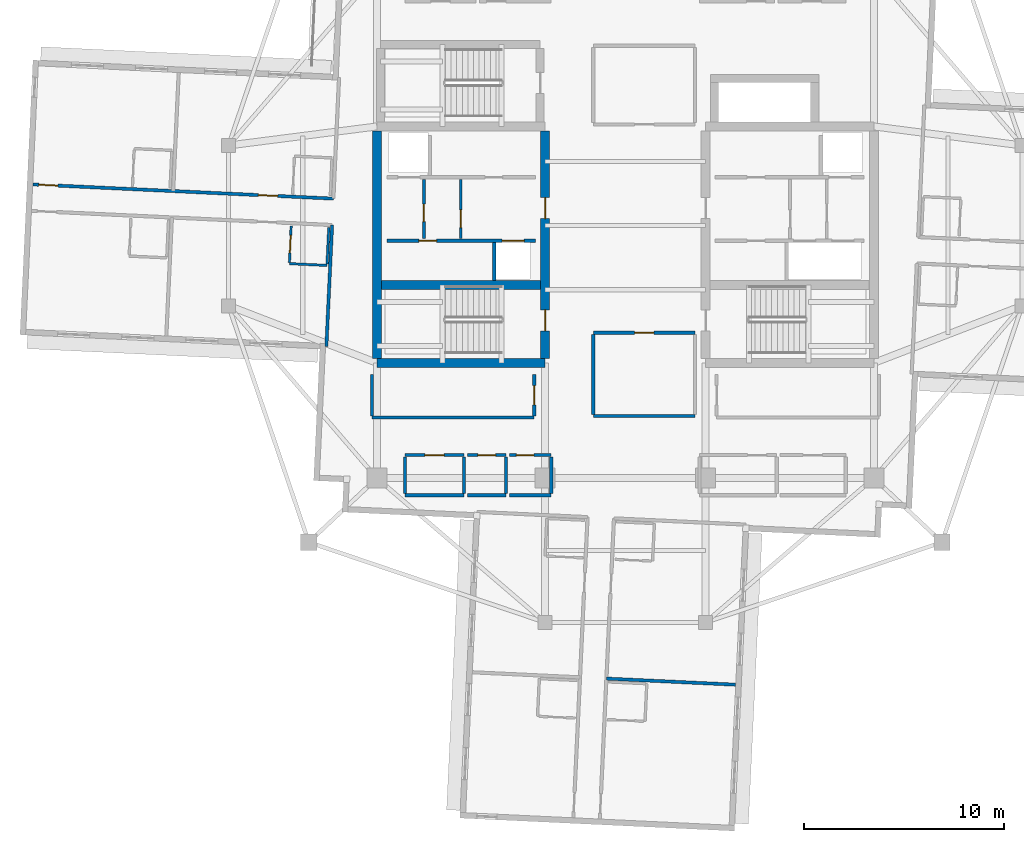
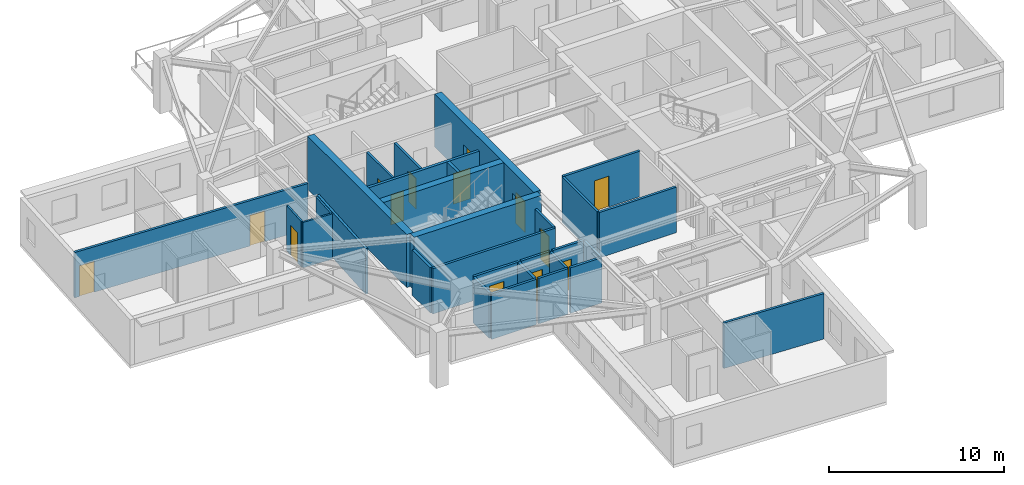
# One storey, part 4 of 12: 30 walls, 14 doors, 14 openings.
"""IFC4 building model written with IfcOpenShell, lengths in metres."""

from ifc_helpers import new_model, si_unit, direction, frame, frame_2d, origin, place, context, subcontext, project, spatial, rectangle, extrude, material, layer, layer_set, type_object, element, fill, save


model = new_model("IFC4")

# Units and contexts
model_context = context("Model", 3, precision=1e-05, world=origin(), true_north=direction((0.0, 1.0)))
body_context = subcontext(model_context, "Body", "Model", "MODEL_VIEW")
ifc_project = project(units=[si_unit("LENGTHUNIT", "METRE"), si_unit("AREAUNIT", "SQUARE_METRE"), si_unit("VOLUMEUNIT", "CUBIC_METRE"), si_unit("PLANEANGLEUNIT", "RADIAN"), si_unit("MASSUNIT", "GRAM", prefix="KILO")], contexts=[model_context])

# Site, building, storey
site_placement = place(None, origin())
site = spatial("IfcSite", under=ifc_project, at=site_placement, CompositionType="ELEMENT")
building_placement = place(site_placement, origin())
building = spatial("IfcBuilding", under=site, at=building_placement, Name="Qingluan Cross Belvedere", CompositionType="ELEMENT")
storey_placement = place(building_placement, frame((0.0, 0.0, 253.800048828125)))
storey = spatial("IfcBuildingStorey", under=building, at=storey_placement, Name="L63", CompositionType="ELEMENT", Elevation=253.800048828125)

# Walls
ifc_material_1 = material(Name="Concrete C50", Category="concrete")
ifc_layer_1 = layer(ifc_material_1, 0.449951171875, Name="CoreShearWall_450")
ifc_layer_set_1 = layer_set([ifc_layer_1], Name="Concrete C50")
wall_type_1 = type_object("IfcWallType", Name="CoreShearWall_450", PredefinedType="SHEAR", material=ifc_layer_set_1)
wall_1_placement = place(storey_placement, frame((-12.39990234375, -6.85009765625, 0.0), z_axis=(0.0, 0.0, 1.0), x_axis=(1.0, 0.0, 0.0)))
element("IfcWall", 1, at=wall_1_placement, inside=storey, type_object=wall_type_1, Name="Split core W shear wall L63-S", PredefinedType="SHEAR", context=body_context, shape_type="SweptSolid", body=[
    extrude(rectangle(XDim=8.39990234375, YDim=0.449951171875, at=frame_2d((4.199951171875, 0.0))), origin(), (0.0, 0.0, 1.0), 3.699951171875),
])
wall_2_placement = place(storey_placement, frame((-12.39990234375, -6.6201171875, 0.0), z_axis=(0.0, 0.0, 1.0), x_axis=(0.0, 1.0, 0.0)))
element("IfcWall", 2, at=wall_2_placement, inside=storey, type_object=wall_type_1, Name="Split core W shear wall L63-W", PredefinedType="SHEAR", context=body_context, shape_type="SweptSolid", body=[
    extrude(rectangle(XDim=11.340087890625, YDim=0.449951171875, at=frame_2d((5.669921875, 0.0))), origin(), (0.0, 0.0, 1.0), 3.699951171875),
])

# Wall, openings, doors
wall_3_placement = place(storey_placement, frame((-4.0, -6.6201171875, 0.0), z_axis=(0.0, 0.0, 1.0), x_axis=(0.0, 1.0, 0.0)))
wall_3 = element("IfcWall", 3, at=wall_3_placement, inside=storey, type_object=wall_type_1, Name="Split core W shear wall L63-E", PredefinedType="SHEAR", context=body_context, shape_type="SweptSolid", body=[
    extrude(rectangle(XDim=11.340087890625, YDim=0.449951171875, at=frame_2d((5.669921875, 0.0))), origin(), (0.0, 0.0, 1.0), 3.699951171875),
])
opening_1_placement = place(wall_3_placement, frame((1.3701171875, 0.0, 0.0)))
opening_1 = element("IfcOpeningElement", 4, at=opening_1_placement, cuts=wall_3, Name="Opening FD-B11", PredefinedType="OPENING", context=body_context, shape_type="SweptSolid", body=[
    extrude(rectangle(XDim=1.050048828125, YDim=2.14990234375, at=frame_2d((0.52490234375, 1.074951171875))), frame((0.0, 0.23486328125, 0.0), z_axis=(0.0, -1.0, 0.0), x_axis=(1.0, 0.0, 0.0)), (0.0, 0.0, 1.0), 0.469970703125),
])
opening_2_placement = place(wall_3_placement, frame((6.969970703125, 0.0, 0.0)))
opening_2 = element("IfcOpeningElement", 5, at=opening_2_placement, cuts=wall_3, Name="Opening FD-B11", PredefinedType="OPENING", context=body_context, shape_type="SweptSolid", body=[
    extrude(rectangle(XDim=1.050048828125, YDim=2.14990234375, at=frame_2d((0.52490234375, 1.074951171875))), frame((0.0, 0.23486328125, 0.0), z_axis=(0.0, -1.0, 0.0), x_axis=(1.0, 0.0, 0.0)), (0.0, 0.0, 1.0), 0.469970703125),
])
ifc_material_2 = material(Name="Steel Class B smoke-seal fire door", Category="steel")
door_type_1 = type_object("IfcDoorType", Name="StairLobbyFireDoor_FDB", OperationType="NOTDEFINED", PredefinedType="DOOR", material=ifc_material_2)
door_1_placement = place(opening_1_placement, origin())
door_1 = element("IfcDoor", 6, at=door_1_placement, inside=storey, type_object=door_type_1, Name="Smoke-proof stair ST1 fire door L63", OperationType="SINGLE_SWING_LEFT", OverallHeight=2.14990234375, OverallWidth=1.050048828125, PredefinedType="DOOR", context=body_context, shape_type="SweptSolid", body=[
    extrude(rectangle(XDim=1.050048828125, YDim=2.14990234375, at=frame_2d((0.52490234375, 1.074951171875))), frame((0.0, 0.02490234375, 0.0), z_axis=(0.0, -1.0, 0.0), x_axis=(1.0, 0.0, 0.0)), (0.0, 0.0, 1.0), 0.050048828125),
])
fill(opening_1, door_1)
door_2_placement = place(opening_2_placement, origin())
door_2 = element("IfcDoor", 7, at=door_2_placement, inside=storey, type_object=door_type_1, Name="Firefighting lobby West fire door L63", OperationType="SINGLE_SWING_LEFT", OverallHeight=2.14990234375, OverallWidth=1.050048828125, PredefinedType="DOOR", context=body_context, shape_type="SweptSolid", body=[
    extrude(rectangle(XDim=1.050048828125, YDim=2.14990234375, at=frame_2d((0.52490234375, 1.074951171875))), frame((0.0, 0.02490234375, 0.0), z_axis=(0.0, -1.0, 0.0), x_axis=(1.0, 0.0, 0.0)), (0.0, 0.0, 1.0), 0.050048828125),
])
fill(opening_2, door_2)

# Wall
wall_4_placement = place(storey_placement, frame((-12.169921875, -2.9599609375, 0.0), z_axis=(0.0, 0.0, 1.0), x_axis=(1.0, 0.0, 0.0)))
element("IfcWall", 8, at=wall_4_placement, inside=storey, type_object=wall_type_1, Name="Split core W shear wall L63-M", PredefinedType="SHEAR", context=body_context, shape_type="SweptSolid", body=[
    extrude(rectangle(XDim=7.93994140625, YDim=0.449951171875, at=frame_2d((3.969970703125, 0.0))), origin(), (0.0, 0.0, 1.0), 3.699951171875),
])

# Wall, opening, door
ifc_material_3 = material(Name="Gypsum plasterboard on steel stud acoustic partition", Category="steel")
ifc_layer_2 = layer(ifc_material_3, 0.159912109375, Name="CorridorPartition_160")
ifc_layer_set_2 = layer_set([ifc_layer_2], Name="Gypsum plasterboard on steel stud acoustic partition")
wall_type_2 = type_object("IfcWallType", Name="CorridorPartition_160", PredefinedType="PARTITIONING", material=ifc_layer_set_2)
wall_5_placement = place(storey_placement, frame((-10.050048828125, -0.652099609375, 0.0), z_axis=(0.0, 0.0, 1.0), x_axis=(0.0, 1.0, 0.0)))
wall_5 = element("IfcWall", 9, at=wall_5_placement, inside=storey, type_object=wall_type_2, Name="Partition L63:wv", PredefinedType="PARTITIONING", context=body_context, shape_type="SweptSolid", body=[
    extrude(rectangle(XDim=2.962158203125, YDim=0.139892578125, at=frame_2d((1.48095703125, 0.0))), origin(), (0.0, 0.0, 1.0), 3.169921875),
])
opening_3_placement = place(wall_5_placement, frame((0.85009765625, 0.0, 0.0)))
opening_3 = element("IfcOpeningElement", 10, at=opening_3_placement, cuts=wall_5, Name="Opening FD-B10", PredefinedType="OPENING", context=body_context, shape_type="SweptSolid", body=[
    extrude(rectangle(XDim=0.8798828125, YDim=2.10009765625, at=frame_2d((0.43994140625, 1.050048828125))), frame((0.0, 0.079833984375, 0.0), z_axis=(0.0, -1.0, 0.0), x_axis=(1.0, 0.0, 0.0)), (0.0, 0.0, 1.0), 0.159912109375),
])
ifc_material_4 = material(Name="Steel Class B service fire door", Category="steel")
door_type_2 = type_object("IfcDoorType", Name="RiserServiceFireDoor_FDB", OperationType="NOTDEFINED", PredefinedType="DOOR", material=ifc_material_4)
door_3_placement = place(opening_3_placement, origin())
door_3 = element("IfcDoor", 11, at=door_3_placement, inside=storey, type_object=door_type_2, Name="Service closet inner door L63", OperationType="SINGLE_SWING_RIGHT", OverallHeight=2.10009765625, OverallWidth=0.8798828125, PredefinedType="DOOR", context=body_context, shape_type="SweptSolid", body=[
    extrude(rectangle(XDim=0.8798828125, YDim=2.10009765625, at=frame_2d((0.43994140625, 1.050048828125))), frame((0.0, 0.02490234375, 0.0), z_axis=(0.0, -1.0, 0.0), x_axis=(1.0, 0.0, 0.0)), (0.0, 0.0, 1.0), 0.050048828125),
])
fill(opening_3, door_3)

# Wall
wall_6_placement = place(storey_placement, frame((-11.0, -13.449951171875, 0.0), z_axis=(0.0, 0.0, 1.0), x_axis=(1.0, 0.0, 0.0)))
element("IfcWall", 12, at=wall_6_placement, inside=storey, type_object=wall_type_2, Name="Partition L63:q_sw_occ:S", PredefinedType="PARTITIONING", context=body_context, shape_type="SweptSolid", body=[
    extrude(rectangle(XDim=2.949951171875, YDim=0.159912109375, at=frame_2d((1.47509765625, 0.0))), origin(), (0.0, 0.0, 1.0), 3.169921875),
])

# Wall, opening, door
wall_7_placement = place(storey_placement, frame((-11.0, -11.449951171875, 0.0), z_axis=(0.0, 0.0, 1.0), x_axis=(1.0, 0.0, 0.0)))
wall_7 = element("IfcWall", 13, at=wall_7_placement, inside=storey, type_object=wall_type_2, Name="Partition L63:q_sw_occ:N", PredefinedType="PARTITIONING", context=body_context, shape_type="SweptSolid", body=[
    extrude(rectangle(XDim=2.949951171875, YDim=0.159912109375, at=frame_2d((1.47509765625, 0.0))), origin(), (0.0, 0.0, 1.0), 3.169921875),
])
opening_4_placement = place(wall_7_placement, frame((0.9951171875, 0.0, 0.0)))
opening_4 = element("IfcOpeningElement", 14, at=opening_4_placement, cuts=wall_7, Name="Opening GD-10", PredefinedType="OPENING", context=body_context, shape_type="SweptSolid", body=[
    extrude(rectangle(XDim=0.9599609375, YDim=2.14990234375, at=frame_2d((0.47998046875, 1.074951171875))), frame((0.0, 0.08984375, 0.0), z_axis=(0.0, -1.0, 0.0), x_axis=(1.0, 0.0, 0.0)), (0.0, 0.0, 1.0), 0.179931640625),
])
ifc_material_5 = material(Name="Timber oak fire-rated acoustic guestroom door", Category="wood")
door_type_3 = type_object("IfcDoorType", Name="GuestEntryDoor_FD60", OperationType="NOTDEFINED", PredefinedType="DOOR", material=ifc_material_5)
door_4_placement = place(opening_4_placement, origin())
door_4 = element("IfcDoor", 15, at=door_4_placement, inside=storey, type_object=door_type_3, Name="Advisory boardroom L63 door", OperationType="SINGLE_SWING_RIGHT", OverallHeight=2.14990234375, OverallWidth=0.9599609375, PredefinedType="DOOR", context=body_context, shape_type="SweptSolid", body=[
    extrude(rectangle(XDim=0.9599609375, YDim=2.14990234375, at=frame_2d((0.47998046875, 1.074951171875))), frame((0.0, 0.02490234375, 0.0), z_axis=(0.0, -1.0, 0.0), x_axis=(1.0, 0.0, 0.0)), (0.0, 0.0, 1.0), 0.050048828125),
])
fill(opening_4, door_4)

# Walls
for number, where, z_axis, x_axis, name in (
    (16, (-11.0, -13.364990234375, 0.0), (0.0, 0.0, 1.0), (0.0, 1.0, 0.0), "Partition L63:q_sw_occ:W"),
    (17, (-8.050048828125, -13.364990234375, 0.0), (0.0, 0.0, 1.0), (0.0, 1.0, 0.0), "Partition L63:q_sw_occ:E"),
):
    element("IfcWall", number, at=place(storey_placement, frame(where, z_axis=z_axis, x_axis=x_axis)), inside=storey, type_object=wall_type_2, Name=name, PredefinedType="PARTITIONING", context=body_context, shape_type="SweptSolid", body=[
        extrude(rectangle(XDim=1.830078125, YDim=0.159912109375, at=frame_2d((0.9150390625, 0.0))), origin(), (0.0, 0.0, 1.0), 3.169921875),
    ])
wall_8_placement = place(storey_placement, frame((-7.889892578125, -13.449951171875, 0.0), z_axis=(0.0, 0.0, 1.0), x_axis=(1.0, 0.0, 0.0)))
element("IfcWall", 18, at=wall_8_placement, inside=storey, type_object=wall_type_2, Name="Partition L63:hk_linen:S", PredefinedType="PARTITIONING", context=body_context, shape_type="SweptSolid", body=[
    extrude(rectangle(XDim=1.93994140625, YDim=0.159912109375, at=frame_2d((0.969970703125, 0.0))), origin(), (0.0, 0.0, 1.0), 3.169921875),
])

# Wall, opening, door
wall_9_placement = place(storey_placement, frame((-7.889892578125, -11.449951171875, 0.0), z_axis=(0.0, 0.0, 1.0), x_axis=(1.0, 0.0, 0.0)))
wall_9 = element("IfcWall", 19, at=wall_9_placement, inside=storey, type_object=wall_type_2, Name="Partition L63:hk_linen:N", PredefinedType="PARTITIONING", context=body_context, shape_type="SweptSolid", body=[
    extrude(rectangle(XDim=1.93994140625, YDim=0.159912109375, at=frame_2d((0.969970703125, 0.0))), origin(), (0.0, 0.0, 1.0), 3.169921875),
])
opening_5_placement = place(wall_9_placement, frame((0.530029296875, 0.0, 0.0)))
opening_5 = element("IfcOpeningElement", 20, at=opening_5_placement, cuts=wall_9, Name="Opening FD-B10", PredefinedType="OPENING", context=body_context, shape_type="SweptSolid", body=[
    extrude(rectangle(XDim=0.8798828125, YDim=2.10009765625, at=frame_2d((0.43994140625, 1.050048828125))), frame((0.0, 0.08984375, 0.0), z_axis=(0.0, -1.0, 0.0), x_axis=(1.0, 0.0, 0.0)), (0.0, 0.0, 1.0), 0.179931640625),
])
door_5_placement = place(opening_5_placement, origin())
door_5 = element("IfcDoor", 21, at=door_5_placement, inside=storey, type_object=door_type_2, Name="Housekeeping and linen store L63 door", OperationType="SINGLE_SWING_LEFT", OverallHeight=2.10009765625, OverallWidth=0.8798828125, PredefinedType="DOOR", context=body_context, shape_type="SweptSolid", body=[
    extrude(rectangle(XDim=0.8798828125, YDim=2.10009765625, at=frame_2d((0.43994140625, 1.050048828125))), frame((0.0, 0.02490234375, 0.0), z_axis=(0.0, -1.0, 0.0), x_axis=(1.0, 0.0, 0.0)), (0.0, 0.0, 1.0), 0.050048828125),
])
fill(opening_5, door_5)

# Walls
wall_10_placement = place(storey_placement, frame((-5.949951171875, -13.364990234375, 0.0), z_axis=(0.0, 0.0, 1.0), x_axis=(0.0, 1.0, 0.0)))
element("IfcWall", 22, at=wall_10_placement, inside=storey, type_object=wall_type_2, Name="Partition L63:hk_linen:E", PredefinedType="PARTITIONING", context=body_context, shape_type="SweptSolid", body=[
    extrude(rectangle(XDim=1.830078125, YDim=0.159912109375, at=frame_2d((0.9150390625, 0.0))), origin(), (0.0, 0.0, 1.0), 3.169921875),
])
wall_11_placement = place(storey_placement, frame((-5.7900390625, -13.449951171875, 0.0), z_axis=(0.0, 0.0, 1.0), x_axis=(1.0, 0.0, 0.0)))
element("IfcWall", 23, at=wall_11_placement, inside=storey, type_object=wall_type_2, Name="Partition L63:floor_acc_wc:S", PredefinedType="PARTITIONING", context=body_context, shape_type="SweptSolid", body=[
    extrude(rectangle(XDim=2.090087890625, YDim=0.159912109375, at=frame_2d((1.044921875, 0.0))), origin(), (0.0, 0.0, 1.0), 3.169921875),
])

# Wall, opening, door
wall_12_placement = place(storey_placement, frame((-5.7900390625, -11.449951171875, 0.0), z_axis=(0.0, 0.0, 1.0), x_axis=(1.0, 0.0, 0.0)))
wall_12 = element("IfcWall", 24, at=wall_12_placement, inside=storey, type_object=wall_type_2, Name="Partition L63:floor_acc_wc:N", PredefinedType="PARTITIONING", context=body_context, shape_type="SweptSolid", body=[
    extrude(rectangle(XDim=2.090087890625, YDim=0.159912109375, at=frame_2d((1.044921875, 0.0))), origin(), (0.0, 0.0, 1.0), 3.169921875),
])
opening_6_placement = place(wall_12_placement, frame((0.35009765625, 0.0, 0.0)))
opening_6 = element("IfcOpeningElement", 25, at=opening_6_placement, cuts=wall_12, Name="Opening BD-08", PredefinedType="OPENING", context=body_context, shape_type="SweptSolid", body=[
    extrude(rectangle(XDim=0.8798828125, YDim=2.14990234375, at=frame_2d((0.43994140625, 1.074951171875))), frame((0.0, 0.08984375, 0.0), z_axis=(0.0, -1.0, 0.0), x_axis=(1.0, 0.0, 0.0)), (0.0, 0.0, 1.0), 0.179931640625),
])
ifc_material_6 = material(Name="Moisture-sealed timber accessible WC door", Category="wood")
door_type_4 = type_object("IfcDoorType", Name="AccessibleWCDoor_880", OperationType="NOTDEFINED", PredefinedType="DOOR", material=ifc_material_6)
door_6_placement = place(opening_6_placement, origin())
door_6 = element("IfcDoor", 26, at=door_6_placement, inside=storey, type_object=door_type_4, Name="Accessible guest washroom L63 door", OperationType="SINGLE_SWING_RIGHT", OverallHeight=2.14990234375, OverallWidth=0.8798828125, PredefinedType="DOOR", context=body_context, shape_type="SweptSolid", body=[
    extrude(rectangle(XDim=0.8798828125, YDim=2.14990234375, at=frame_2d((0.43994140625, 1.074951171875))), frame((0.0, 0.02490234375, 0.0), z_axis=(0.0, -1.0, 0.0), x_axis=(1.0, 0.0, 0.0)), (0.0, 0.0, 1.0), 0.050048828125),
])
fill(opening_6, door_6)

# Walls
wall_13_placement = place(storey_placement, frame((-3.699951171875, -13.364990234375, 0.0), z_axis=(0.0, 0.0, 1.0), x_axis=(0.0, 1.0, 0.0)))
element("IfcWall", 27, at=wall_13_placement, inside=storey, type_object=wall_type_2, Name="Partition L63:floor_acc_wc:E", PredefinedType="PARTITIONING", context=body_context, shape_type="SweptSolid", body=[
    extrude(rectangle(XDim=1.830078125, YDim=0.159912109375, at=frame_2d((0.9150390625, 0.0))), origin(), (0.0, 0.0, 1.0), 3.169921875),
])
wall_14_placement = place(storey_placement, frame((-1.60009765625, -9.5, 0.0), z_axis=(0.0, 0.0, 1.0), x_axis=(1.0, 0.0, 0.0)))
element("IfcWall", 28, at=wall_14_placement, inside=storey, type_object=wall_type_2, Name="Partition L63:sky_south_alcove:S", PredefinedType="PARTITIONING", context=body_context, shape_type="SweptSolid", body=[
    extrude(rectangle(XDim=5.080078125, YDim=0.159912109375, at=frame_2d((2.5400390625, 0.0))), origin(), (0.0, 0.0, 1.0), 3.169921875),
])

# Wall, opening, door
wall_15_placement = place(storey_placement, frame((-1.60009765625, -5.35009765625, 0.0), z_axis=(0.0, 0.0, 1.0), x_axis=(1.0, 0.0, 0.0)))
wall_15 = element("IfcWall", 29, at=wall_15_placement, inside=storey, type_object=wall_type_2, Name="Partition L63:sky_south_alcove:N", PredefinedType="PARTITIONING", context=body_context, shape_type="SweptSolid", body=[
    extrude(rectangle(XDim=5.080078125, YDim=0.159912109375, at=frame_2d((2.5400390625, 0.0))), origin(), (0.0, 0.0, 1.0), 3.169921875),
])
opening_7_placement = place(wall_15_placement, frame((2.06005859375, 0.0, 0.0)))
opening_7 = element("IfcOpeningElement", 30, at=opening_7_placement, cuts=wall_15, Name="Opening GD-10", PredefinedType="OPENING", context=body_context, shape_type="SweptSolid", body=[
    extrude(rectangle(XDim=0.9599609375, YDim=2.14990234375, at=frame_2d((0.47998046875, 1.074951171875))), frame((0.0, 0.08984375, 0.0), z_axis=(0.0, -1.0, 0.0), x_axis=(1.0, 0.0, 0.0)), (0.0, 0.0, 1.0), 0.179931640625),
])
door_7_placement = place(opening_7_placement, origin())
door_7 = element("IfcDoor", 31, at=door_7_placement, inside=storey, type_object=door_type_3, Name="South horizon reading alcove L63 door", OperationType="SINGLE_SWING_RIGHT", OverallHeight=2.14990234375, OverallWidth=0.9599609375, PredefinedType="DOOR", context=body_context, shape_type="SweptSolid", body=[
    extrude(rectangle(XDim=0.9599609375, YDim=2.14990234375, at=frame_2d((0.47998046875, 1.074951171875))), frame((0.0, 0.02490234375, 0.0), z_axis=(0.0, -1.0, 0.0), x_axis=(1.0, 0.0, 0.0)), (0.0, 0.0, 1.0), 0.050048828125),
])
fill(opening_7, door_7)

# Walls
wall_16_placement = place(storey_placement, frame((-1.60009765625, -9.4150390625, 0.0), z_axis=(0.0, 0.0, 1.0), x_axis=(0.0, 1.0, 0.0)))
element("IfcWall", 32, at=wall_16_placement, inside=storey, type_object=wall_type_2, Name="Partition L63:sky_south_alcove:W", PredefinedType="PARTITIONING", context=body_context, shape_type="SweptSolid", body=[
    extrude(rectangle(XDim=3.97998046875, YDim=0.159912109375, at=frame_2d((1.989990234375, 0.0))), origin(), (0.0, 0.0, 1.0), 3.169921875),
])
wall_17_placement = place(storey_placement, frame((-12.64990234375, -9.580078125, 0.0), z_axis=(0.0, 0.0, 1.0), x_axis=(1.0, 0.0, 0.0)))
element("IfcWall", 33, at=wall_17_placement, inside=storey, type_object=wall_type_2, Name="Partition L63:rec_st4_w:S", PredefinedType="PARTITIONING", context=body_context, shape_type="SweptSolid", body=[
    extrude(rectangle(XDim=8.099853515625, YDim=0.159912109375, at=frame_2d((4.0498046875, 0.0))), origin(), (0.0, 0.0, 1.0), 3.169921875),
])
wall_18_placement = place(storey_placement, frame((-12.64990234375, -9.4951171875, 0.0), z_axis=(0.0, 0.0, 1.0), x_axis=(0.0, 1.0, 0.0)))
element("IfcWall", 34, at=wall_18_placement, inside=storey, type_object=wall_type_2, Name="Partition L63:rec_st4_w:W", PredefinedType="PARTITIONING", context=body_context, shape_type="SweptSolid", body=[
    extrude(rectangle(XDim=2.06005859375, YDim=0.159912109375, at=frame_2d((1.030029296875, 0.0))), origin(), (0.0, 0.0, 1.0), 3.169921875),
])

# Wall, opening, door
wall_19_placement = place(storey_placement, frame((-4.550048828125, -9.4951171875, 0.0), z_axis=(0.0, 0.0, 1.0), x_axis=(0.0, 1.0, 0.0)))
wall_19 = element("IfcWall", 35, at=wall_19_placement, inside=storey, type_object=wall_type_2, Name="Partition L63:rec_st4_w:E", PredefinedType="PARTITIONING", context=body_context, shape_type="SweptSolid", body=[
    extrude(rectangle(XDim=2.06005859375, YDim=0.159912109375, at=frame_2d((1.030029296875, 0.0))), origin(), (0.0, 0.0, 1.0), 3.169921875),
])
opening_8_placement = place(wall_19_placement, frame((0.550048828125, 0.0, 0.0)))
opening_8 = element("IfcOpeningElement", 36, at=opening_8_placement, cuts=wall_19, Name="Opening GD-10", PredefinedType="OPENING", context=body_context, shape_type="SweptSolid", body=[
    extrude(rectangle(XDim=0.9599609375, YDim=2.14990234375, at=frame_2d((0.47998046875, 1.074951171875))), frame((0.0, 0.08984375, 0.0), z_axis=(0.0, -1.0, 0.0), x_axis=(1.0, 0.0, 0.0)), (0.0, 0.0, 1.0), 0.179931640625),
])
door_8_placement = place(opening_8_placement, origin())
door_8 = element("IfcDoor", 37, at=door_8_placement, inside=storey, type_object=door_type_3, Name="Southwest club reading room L63 door", OperationType="SINGLE_SWING_RIGHT", OverallHeight=2.14990234375, OverallWidth=0.9599609375, PredefinedType="DOOR", context=body_context, shape_type="SweptSolid", body=[
    extrude(rectangle(XDim=0.9599609375, YDim=2.14990234375, at=frame_2d((0.47998046875, 1.074951171875))), frame((0.0, 0.02490234375, 0.0), z_axis=(0.0, -1.0, 0.0), x_axis=(1.0, 0.0, 0.0)), (0.0, 0.0, 1.0), 0.050048828125),
])
fill(opening_8, door_8)

# Wall, openings, doors
wall_20_placement = place(storey_placement, frame((-14.57275390625, 1.347900390625, 0.0), z_axis=(0.0, 0.0, 1.0), x_axis=(-0.998889523559, 0.047113901593, 0.0)))
wall_20 = element("IfcWall", 38, at=wall_20_placement, inside=storey, type_object=wall_type_2, Name="Partition L63:W:c0", PredefinedType="PARTITIONING", context=body_context, shape_type="SweptSolid", body=[
    extrude(rectangle(XDim=15.011962890625, YDim=0.159912109375, at=frame_2d((7.505859375, 0.0))), origin(), (0.0, 0.0, 1.0), 3.169921875),
])
opening_9_placement = place(wall_20_placement, frame((2.780029296875, 0.0, 0.0)))
opening_9 = element("IfcOpeningElement", 39, at=opening_9_placement, cuts=wall_20, Name="Opening GD-10", PredefinedType="OPENING", context=body_context, shape_type="SweptSolid", body=[
    extrude(rectangle(XDim=0.9599609375, YDim=2.14990234375, at=frame_2d((0.47998046875, 1.074951171875))), frame((0.0, 0.08984375, 0.0), z_axis=(0.0, -1.0, 0.0), x_axis=(1.0, 0.0, 0.0)), (0.0, 0.0, 1.0), 0.179931640625),
])
opening_10_placement = place(wall_20_placement, frame((13.760009765625, 0.0, 0.0)))
opening_10 = element("IfcOpeningElement", 40, at=opening_10_placement, cuts=wall_20, Name="Opening GD-10", PredefinedType="OPENING", context=body_context, shape_type="SweptSolid", body=[
    extrude(rectangle(XDim=0.9599609375, YDim=2.14990234375, at=frame_2d((0.47998046875, 1.074951171875))), frame((0.0, 0.08984375, 0.0), z_axis=(0.0, -1.0, 0.0), x_axis=(1.0, 0.0, 0.0)), (0.0, 0.0, 1.0), 0.179931640625),
])
door_9_placement = place(opening_9_placement, origin())
door_9 = element("IfcDoor", 41, at=door_9_placement, inside=storey, type_object=door_type_3, Name="Guest entry fire door 6305", OperationType="SINGLE_SWING_LEFT", OverallHeight=2.14990234375, OverallWidth=0.9599609375, PredefinedType="DOOR", context=body_context, shape_type="SweptSolid", body=[
    extrude(rectangle(XDim=0.9599609375, YDim=2.14990234375, at=frame_2d((0.47998046875, 1.074951171875))), frame((0.0, 0.02490234375, 0.0), z_axis=(0.0, -1.0, 0.0), x_axis=(1.0, 0.0, 0.0)), (0.0, 0.0, 1.0), 0.050048828125),
])
fill(opening_9, door_9)
door_10_placement = place(opening_10_placement, origin())
door_10 = element("IfcDoor", 42, at=door_10_placement, inside=storey, type_object=door_type_3, Name="Guest entry fire door 6306", OperationType="SINGLE_SWING_LEFT", OverallHeight=2.14990234375, OverallWidth=0.9599609375, PredefinedType="DOOR", context=body_context, shape_type="SweptSolid", body=[
    extrude(rectangle(XDim=0.9599609375, YDim=2.14990234375, at=frame_2d((0.47998046875, 1.074951171875))), frame((0.0, 0.02490234375, 0.0), z_axis=(0.0, -1.0, 0.0), x_axis=(1.0, 0.0, 0.0)), (0.0, 0.0, 1.0), 0.050048828125),
])
fill(opening_10, door_10)

# Walls
wall_21_placement = place(storey_placement, frame((-14.635009765625, 0.029296875, 0.0), z_axis=(0.0, 0.0, 1.0), x_axis=(-0.047098081119, -0.998890269627, 0.0)))
element("IfcWall", 43, at=wall_21_placement, inside=storey, type_object=wall_type_2, Name="Partition L63:W:s1", PredefinedType="PARTITIONING", context=body_context, shape_type="SweptSolid", body=[
    extrude(rectangle(XDim=6.059814453125, YDim=0.159912109375, at=frame_2d((3.02978515625, 0.0))), origin(), (0.0, 0.0, 1.0), 3.169921875),
])
wall_22_placement = place(storey_placement, frame((-0.94580078125, -22.6044921875, 0.0), z_axis=(0.0, 0.0, 1.0), x_axis=(0.998889693482, -0.047110298825, 0.0)))
element("IfcWall", 44, at=wall_22_placement, inside=storey, type_object=wall_type_2, Name="Partition L63:S:d0_0", PredefinedType="PARTITIONING", context=body_context, shape_type="SweptSolid", body=[
    extrude(rectangle(XDim=6.451904296875, YDim=0.159912109375, at=frame_2d((3.22607421875, 0.0))), origin(), (0.0, 0.0, 1.0), 3.169921875),
])

# Wall, opening, door
ifc_material_7 = material(Name="Moisture-resistant gypsum board lining")
ifc_layer_3 = layer(ifc_material_7, 0.1201171875, Name="EnsuiteWetPartition_120")
ifc_layer_set_3 = layer_set([ifc_layer_3], Name="Moisture-resistant gypsum board lining")
wall_type_3 = type_object("IfcWallType", Name="EnsuiteWetPartition_120", PredefinedType="PARTITIONING", material=ifc_layer_set_3)
wall_23_placement = place(storey_placement, frame((-16.764892578125, -1.832275390625, 0.0), z_axis=(0.0, 0.0, 1.0), x_axis=(0.047087116047, 0.998890786574, 0.0)))
wall_23 = element("IfcWall", 45, at=wall_23_placement, inside=storey, type_object=wall_type_3, Name="Partition L63:W:bs1_0", PredefinedType="PARTITIONING", context=body_context, shape_type="SweptSolid", body=[
    extrude(rectangle(XDim=1.81982421875, YDim=0.1201171875, at=frame_2d((0.909912109375, 0.0))), origin(), (0.0, 0.0, 1.0), 3.169921875),
])
opening_11_placement = place(wall_23_placement, frame((0.469970703125, 0.0, 0.0)))
opening_11 = element("IfcOpeningElement", 46, at=opening_11_placement, cuts=wall_23, Name="Opening BD-09", PredefinedType="OPENING", context=body_context, shape_type="SweptSolid", body=[
    extrude(rectangle(XDim=0.8798828125, YDim=2.10009765625, at=frame_2d((0.43994140625, 1.050048828125))), frame((0.0, 0.070068359375, 0.0), z_axis=(0.0, -1.0, 0.0), x_axis=(1.0, 0.0, 0.0)), (0.0, 0.0, 1.0), 0.14013671875),
])
ifc_material_8 = material(Name="Moisture-sealed timber en-suite door", Category="wood")
door_type_5 = type_object("IfcDoorType", Name="BathroomDoor_880", OperationType="NOTDEFINED", PredefinedType="DOOR", material=ifc_material_8)
door_11_placement = place(opening_11_placement, origin())
door_11 = element("IfcDoor", 47, at=door_11_placement, inside=storey, type_object=door_type_5, Name="Bathroom door 6307", OperationType="SINGLE_SWING_RIGHT", OverallHeight=2.10009765625, OverallWidth=0.8798828125, PredefinedType="DOOR", context=body_context, shape_type="SweptSolid", body=[
    extrude(rectangle(XDim=0.8798828125, YDim=2.10009765625, at=frame_2d((0.43994140625, 1.050048828125))), frame((0.0, 0.02490234375, 0.0), z_axis=(0.0, -1.0, 0.0), x_axis=(1.0, 0.0, 0.0)), (0.0, 0.0, 1.0), 0.050048828125),
])
fill(opening_11, door_11)

# Walls
wall_24_placement = place(storey_placement, frame((-14.886962890625, -1.9208984375, 0.0), z_axis=(0.0, 0.0, 1.0), x_axis=(0.047080807099, 0.998891083954, 0.0)))
element("IfcWall", 48, at=wall_24_placement, inside=storey, type_object=wall_type_3, Name="Partition L63:W:bw1_0", PredefinedType="PARTITIONING", context=body_context, shape_type="SweptSolid", body=[
    extrude(rectangle(XDim=1.820068359375, YDim=0.1201171875, at=frame_2d((0.91015625, 0.0))), origin(), (0.0, 0.0, 1.0), 3.169921875),
])
wall_25_placement = place(storey_placement, frame((-14.89013671875, -1.98583984375, 0.0), z_axis=(0.0, 0.0, 1.0), x_axis=(-0.998888319371, 0.047139425368, 0.0)))
element("IfcWall", 49, at=wall_25_placement, inside=storey, type_object=wall_type_3, Name="Partition L63:W:bc1_0", PredefinedType="PARTITIONING", context=body_context, shape_type="SweptSolid", body=[
    extrude(rectangle(XDim=1.880126953125, YDim=0.1201171875, at=frame_2d((0.93994140625, 0.0))), origin(), (0.0, 0.0, 1.0), 3.169921875),
])

# Wall, openings, doors
ifc_material_9 = material(Name="Concrete C40", Category="concrete")
ifc_layer_4 = layer(ifc_material_9, 0.219970703125, Name="ShaftEnclosureWall_250")
ifc_layer_set_4 = layer_set([ifc_layer_4], Name="Concrete C40")
wall_type_4 = type_object("IfcWallType", Name="ShaftEnclosureWall_250", PredefinedType="SOLIDWALL", material=ifc_layer_set_4)
wall_26_placement = place(storey_placement, frame((-11.89990234375, -0.75, 0.0), z_axis=(0.0, 0.0, 1.0), x_axis=(1.0, 0.0, 0.0)))
wall_26 = element("IfcWall", 50, at=wall_26_placement, inside=storey, type_object=wall_type_4, Name="Core-W mid hoistway wall L63", PredefinedType="SOLIDWALL", context=body_context, shape_type="SweptSolid", body=[
    extrude(rectangle(XDim=7.419921875, YDim=0.179931640625, at=frame_2d((3.7099609375, 0.0))), origin(), (0.0, 0.0, 1.0), 3.169921875),
])
opening_12_placement = place(wall_26_placement, frame((5.75, 0.0, 0.0)))
opening_12 = element("IfcOpeningElement", 51, at=opening_12_placement, cuts=wall_26, Name="Opening LD-11", PredefinedType="OPENING", context=body_context, shape_type="SweptSolid", body=[
    extrude(rectangle(XDim=1.10009765625, YDim=2.14990234375, at=frame_2d((0.550048828125, 1.074951171875))), frame((0.0, 0.099853515625, 0.0), z_axis=(0.0, -1.0, 0.0), x_axis=(1.0, 0.0, 0.0)), (0.0, 0.0, 1.0), 0.199951171875),
])
opening_13_placement = place(wall_26_placement, frame((1.60009765625, 0.0, 0.0)))
opening_13 = element("IfcOpeningElement", 52, at=opening_13_placement, cuts=wall_26, Name="Opening FD-B10", PredefinedType="OPENING", context=body_context, shape_type="SweptSolid", body=[
    extrude(rectangle(XDim=0.8798828125, YDim=2.10009765625, at=frame_2d((0.43994140625, 1.050048828125))), frame((0.0, 0.099853515625, 0.0), z_axis=(0.0, -1.0, 0.0), x_axis=(1.0, 0.0, 0.0)), (0.0, 0.0, 1.0), 0.199951171875),
])
ifc_material_10 = material(Name="Brushed stainless steel centre-opening lift landing door", Category="steel")
door_type_6 = type_object("IfcDoorType", Name="LiftLandingSlidingDoor_1100", OperationType="DOUBLE_DOOR_SLIDING", PredefinedType="DOOR", material=ifc_material_10)
door_12_placement = place(opening_12_placement, origin())
door_12 = element("IfcDoor", 53, at=door_12_placement, inside=storey, type_object=door_type_6, Name="Lift landing sliding door LP8 L63", OperationType="DOUBLE_DOOR_SLIDING", OverallHeight=2.14990234375, OverallWidth=1.10009765625, PredefinedType="DOOR", context=body_context, shape_type="SweptSolid", body=[
    extrude(rectangle(XDim=1.10009765625, YDim=2.14990234375, at=frame_2d((0.550048828125, 1.074951171875))), frame((0.0, 0.02490234375, 0.0), z_axis=(0.0, -1.0, 0.0), x_axis=(1.0, 0.0, 0.0)), (0.0, 0.0, 1.0), 0.050048828125),
])
fill(opening_12, door_12)
door_13_placement = place(opening_13_placement, origin())
door_13 = element("IfcDoor", 54, at=door_13_placement, inside=storey, type_object=door_type_2, Name="Upper-zone electrical room door L63", OperationType="SINGLE_SWING_RIGHT", OverallHeight=2.10009765625, OverallWidth=0.8798828125, PredefinedType="DOOR", context=body_context, shape_type="SweptSolid", body=[
    extrude(rectangle(XDim=0.8798828125, YDim=2.10009765625, at=frame_2d((0.43994140625, 1.050048828125))), frame((0.0, 0.02490234375, 0.0), z_axis=(0.0, -1.0, 0.0), x_axis=(1.0, 0.0, 0.0)), (0.0, 0.0, 1.0), 0.050048828125),
])
fill(opening_13, door_13)

# Wall
wall_27_placement = place(storey_placement, frame((-6.5400390625, -2.72998046875, 0.0), z_axis=(0.0, 0.0, 1.0), x_axis=(0.0, 1.0, 0.0)))
element("IfcWall", 55, at=wall_27_placement, inside=storey, type_object=wall_type_4, Name="Hoistway enclosure divider LP8W L63", PredefinedType="SOLIDWALL", context=body_context, shape_type="SweptSolid", body=[
    extrude(rectangle(XDim=1.889892578125, YDim=0.179931640625, at=frame_2d((0.94482421875, 0.0))), origin(), (0.0, 0.0, 1.0), 3.169921875),
])

# Wall, opening, door
wall_28_placement = place(storey_placement, frame((-8.219970703125, -0.64990234375, 0.0), z_axis=(0.0, 0.0, 1.0), x_axis=(0.0, 1.0, 0.0)))
wall_28 = element("IfcWall", 56, at=wall_28_placement, inside=storey, type_object=wall_type_4, Name="Core-W service corridor wall L63", PredefinedType="SOLIDWALL", context=body_context, shape_type="SweptSolid", body=[
    extrude(rectangle(XDim=2.9599609375, YDim=0.139892578125, at=frame_2d((1.47998046875, 0.0))), origin(), (0.0, 0.0, 1.0), 3.169921875),
])
opening_14_placement = place(wall_28_placement, frame((0.550048828125, 0.0, 0.0)))
opening_14 = element("IfcOpeningElement", 57, at=opening_14_placement, cuts=wall_28, Name="Opening FD-B10", PredefinedType="OPENING", context=body_context, shape_type="SweptSolid", body=[
    extrude(rectangle(XDim=0.8798828125, YDim=2.10009765625, at=frame_2d((0.43994140625, 1.050048828125))), frame((0.0, 0.079833984375, 0.0), z_axis=(0.0, -1.0, 0.0), x_axis=(1.0, 0.0, 0.0)), (0.0, 0.0, 1.0), 0.159912109375),
])
door_14_placement = place(opening_14_placement, origin())
door_14 = element("IfcDoor", 58, at=door_14_placement, inside=storey, type_object=door_type_2, Name="Core-W service room door L63", OperationType="SINGLE_SWING_RIGHT", OverallHeight=2.10009765625, OverallWidth=0.8798828125, PredefinedType="DOOR", context=body_context, shape_type="SweptSolid", body=[
    extrude(rectangle(XDim=0.8798828125, YDim=2.10009765625, at=frame_2d((0.43994140625, 1.050048828125))), frame((0.0, 0.02490234375, 0.0), z_axis=(0.0, -1.0, 0.0), x_axis=(1.0, 0.0, 0.0)), (0.0, 0.0, 1.0), 0.050048828125),
])
fill(opening_14, door_14)

save(model, "model.ifc")
